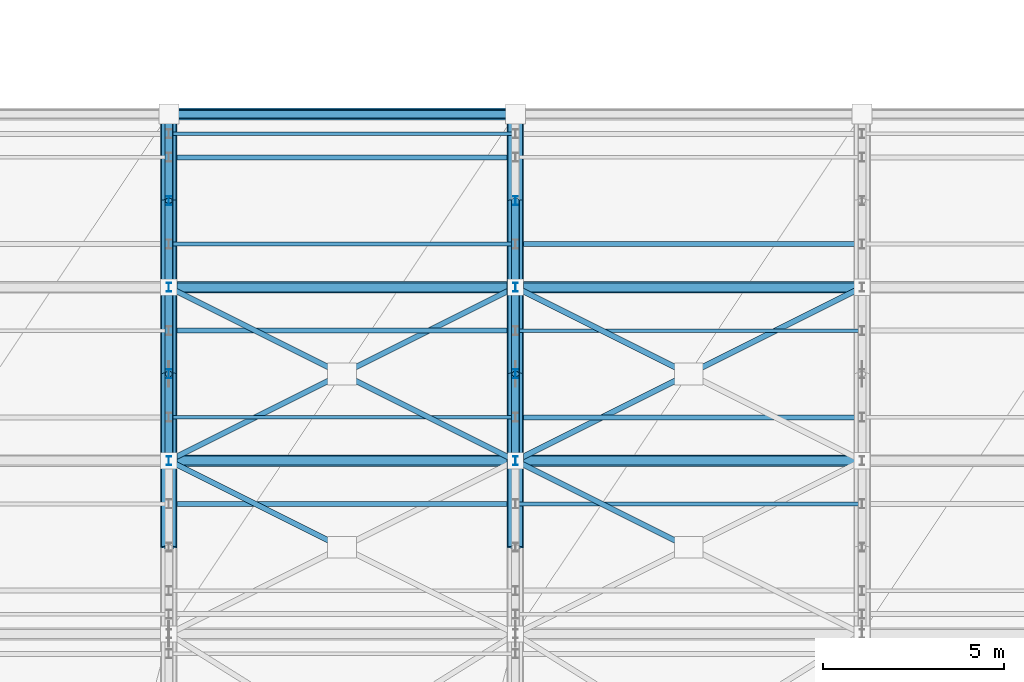
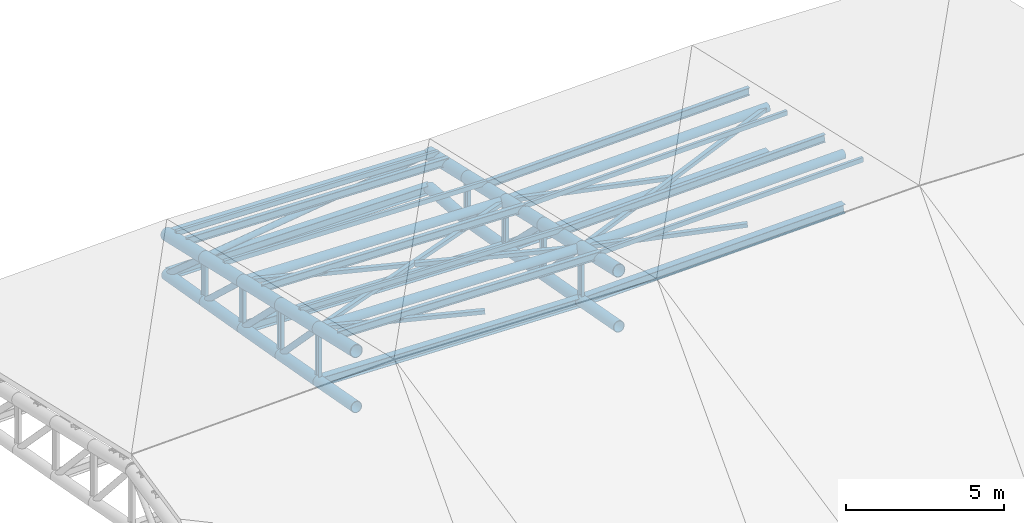
# One storey, part 49 of 109: 43 members, 20 beams.
"""IFC4 building model written with IfcOpenShell, lengths in metres."""

from ifc_helpers import new_model, si_unit, direction, frame, origin, origin_2d, place, context, subcontext, project, spatial, hollow_rectangle, hollow_circle, i_section, extrude, material, material_profile, profile_set, type_object, element, save


model = new_model("IFC4")

# Units and contexts
model_context = context("Model", 3, precision=1e-05, world=origin(), true_north=direction((0.0, 1.0)))
body_context = subcontext(model_context, "Body", "Model", "MODEL_VIEW")
ifc_project = project(units=[si_unit("LENGTHUNIT", "METRE"), si_unit("AREAUNIT", "SQUARE_METRE"), si_unit("VOLUMEUNIT", "CUBIC_METRE"), si_unit("PLANEANGLEUNIT", "RADIAN"), si_unit("MASSUNIT", "GRAM", prefix="KILO")], contexts=[model_context])

# Site, building, storey
site_placement = place(None, origin())
site = spatial("IfcSite", under=ifc_project, at=site_placement, CompositionType="ELEMENT")
building_placement = place(site_placement, origin())
building = spatial("IfcBuilding", under=site, at=building_placement, Name="Suirenkawa Promenade Aquatics Centre", CompositionType="ELEMENT")
storey_placement = place(building_placement, frame((0.0, 0.0, 22.800048828125)))
storey = spatial("IfcBuildingStorey", under=building, at=storey_placement, Name="ROOF", CompositionType="ELEMENT", Elevation=22.800048828125)

# Beams
ifc_material = material(Name="Steel IS 2062 E350 (Grade 350)", Category="steel")
ifc_material_profile_1 = material_profile(ifc_material, hollow_circle(Radius=0.202880859375, WallThickness=0.01806640625, at=origin_2d()), Name="CHS 406x18", Category="steel")
ifc_profile_set_1 = profile_set([ifc_material_profile_1], Name="Steel IS 2062 E350 (Grade 350)")
beam_type_1 = type_object("IfcBeamType", Name="BT-BC-CHS406", PredefinedType="BEAM", material=ifc_profile_set_1)
beam_1_placement = place(storey_placement, frame((165.60009765625, 88.800048828125, -3.89208984375), z_axis=(0.0, 0.983234878621, -0.182343558874), x_axis=(-1.0, 0.0, 0.0)))
element("IfcBeam", 1, at=beam_1_placement, inside=storey, type_object=beam_type_1, Name="ROOF TRUSS V2 bottom chord BC-01 BM-2458", PredefinedType="BEAM", context=body_context, shape_type="SweptSolid", body=[
    extrude(hollow_circle(Radius=0.202880859375, WallThickness=0.01806640625, at=origin_2d()), origin(), (0.0, 0.0, 1.0), 2.44091796875),
])
beam_2_placement = place(storey_placement, frame((165.60009765625, 91.199951171875, -4.337158203125), z_axis=(0.0, 0.984123577973, -0.177484600117), x_axis=(-1.0, 0.0, 0.0)))
element("IfcBeam", 2, at=beam_2_placement, inside=storey, type_object=beam_type_1, Name="ROOF TRUSS V2 bottom chord BC-01 BM-2460", PredefinedType="BEAM", context=body_context, shape_type="SweptSolid", body=[
    extrude(hollow_circle(Radius=0.202880859375, WallThickness=0.01806640625, at=origin_2d()), origin(), (0.0, 0.0, 1.0), 2.43896484375),
])
beam_3_placement = place(storey_placement, frame((165.60009765625, 93.60009765625, -4.77001953125), z_axis=(0.0, 0.984675467278, -0.174396743492), x_axis=(-1.0, 0.0, 0.0)))
element("IfcBeam", 3, at=beam_3_placement, inside=storey, type_object=beam_type_1, Name="ROOF TRUSS V2 bottom chord BC-01 BM-2462", PredefinedType="BEAM", context=body_context, shape_type="SweptSolid", body=[
    extrude(hollow_circle(Radius=0.202880859375, WallThickness=0.01806640625, at=origin_2d()), origin(), (0.0, 0.0, 1.0), 2.437255859375),
])
beam_4_placement = place(storey_placement, frame((165.60009765625, 96.0, -5.195068359375), z_axis=(0.0, 0.985102699783, -0.17196706336), x_axis=(-1.0, 0.0, 0.0)))
element("IfcBeam", 4, at=beam_4_placement, inside=storey, type_object=beam_type_1, Name="ROOF TRUSS V2 bottom chord BC-01 BM-2464", PredefinedType="BEAM", context=body_context, shape_type="SweptSolid", body=[
    extrude(hollow_circle(Radius=0.202880859375, WallThickness=0.01806640625, at=origin_2d()), origin(), (0.0, 0.0, 1.0), 2.436279296875),
])
beam_5_placement = place(storey_placement, frame((165.60009765625, 98.39990234375, -5.614013671875), z_axis=(0.0, 0.985308695014, -0.170782831482), x_axis=(-1.0, 0.0, 0.0)))
element("IfcBeam", 5, at=beam_5_placement, inside=storey, type_object=beam_type_1, Name="ROOF TRUSS V2 bottom chord BC-01 BM-2466", PredefinedType="BEAM", context=body_context, shape_type="SweptSolid", body=[
    extrude(hollow_circle(Radius=0.202880859375, WallThickness=0.01806640625, at=origin_2d()), origin(), (0.0, 0.0, 1.0), 2.43603515625),
])
beam_6_placement = place(storey_placement, frame((175.199951171875, 88.800048828125, -4.14208984375), z_axis=(0.0, 0.983234878621, -0.182343558874), x_axis=(-1.0, 0.0, 0.0)))
element("IfcBeam", 6, at=beam_6_placement, inside=storey, type_object=beam_type_1, Name="ROOF TRUSS V2 bottom chord BC-01 BM-2494", PredefinedType="BEAM", context=body_context, shape_type="SweptSolid", body=[
    extrude(hollow_circle(Radius=0.202880859375, WallThickness=0.01806640625, at=origin_2d()), origin(), (0.0, 0.0, 1.0), 2.44091796875),
])
beam_7_placement = place(storey_placement, frame((175.199951171875, 91.199951171875, -4.587158203125), z_axis=(0.0, 0.984123577973, -0.177484600117), x_axis=(-1.0, 0.0, 0.0)))
element("IfcBeam", 7, at=beam_7_placement, inside=storey, type_object=beam_type_1, Name="ROOF TRUSS V2 bottom chord BC-01 BM-2496", PredefinedType="BEAM", context=body_context, shape_type="SweptSolid", body=[
    extrude(hollow_circle(Radius=0.202880859375, WallThickness=0.01806640625, at=origin_2d()), origin(), (0.0, 0.0, 1.0), 2.43896484375),
])
beam_8_placement = place(storey_placement, frame((175.199951171875, 93.60009765625, -5.02001953125), z_axis=(0.0, 0.984675467278, -0.174396743492), x_axis=(-1.0, 0.0, 0.0)))
element("IfcBeam", 8, at=beam_8_placement, inside=storey, type_object=beam_type_1, Name="ROOF TRUSS V2 bottom chord BC-01 BM-2498", PredefinedType="BEAM", context=body_context, shape_type="SweptSolid", body=[
    extrude(hollow_circle(Radius=0.202880859375, WallThickness=0.01806640625, at=origin_2d()), origin(), (0.0, 0.0, 1.0), 2.437255859375),
])
beam_9_placement = place(storey_placement, frame((175.199951171875, 96.0, -5.445068359375), z_axis=(0.0, 0.985102699783, -0.17196706336), x_axis=(-1.0, 0.0, 0.0)))
element("IfcBeam", 9, at=beam_9_placement, inside=storey, type_object=beam_type_1, Name="ROOF TRUSS V2 bottom chord BC-01 BM-2500", PredefinedType="BEAM", context=body_context, shape_type="SweptSolid", body=[
    extrude(hollow_circle(Radius=0.202880859375, WallThickness=0.01806640625, at=origin_2d()), origin(), (0.0, 0.0, 1.0), 2.436279296875),
])
beam_10_placement = place(storey_placement, frame((175.199951171875, 98.39990234375, -5.864013671875), z_axis=(0.0, 0.997009573993, -0.077278129934), x_axis=(-1.0, 0.0, 0.0)))
element("IfcBeam", 10, at=beam_10_placement, inside=storey, type_object=beam_type_1, Name="ROOF TRUSS V2 bottom chord BC-01 BM-2502", PredefinedType="BEAM", context=body_context, shape_type="SweptSolid", body=[
    extrude(hollow_circle(Radius=0.202880859375, WallThickness=0.01806640625, at=origin_2d()), origin(), (0.0, 0.0, 1.0), 2.4072265625),
])
ifc_material_profile_2 = material_profile(ifc_material, hollow_circle(Radius=0.22900390625, WallThickness=0.02001953125, at=origin_2d()), Name="CHS 458x20", Category="steel")
ifc_profile_set_2 = profile_set([ifc_material_profile_2], Name="Steel IS 2062 E350 (Grade 350)")
beam_type_2 = type_object("IfcBeamType", Name="BT-TC-CHS458", PredefinedType="BEAM", material=ifc_profile_set_2)
beam_11_placement = place(storey_placement, frame((165.60009765625, 88.800048828125, -1.72998046875), z_axis=(0.0, 0.974726021078, -0.223403634333), x_axis=(-1.0, 0.0, 0.0)))
element("IfcBeam", 11, at=beam_11_placement, inside=storey, type_object=beam_type_2, Name="ROOF TRUSS V2 top chord TC-01 BM-2457", PredefinedType="BEAM", context=body_context, shape_type="SweptSolid", body=[
    extrude(hollow_circle(Radius=0.22900390625, WallThickness=0.02001953125, at=origin_2d()), origin(), (0.0, 0.0, 1.0), 2.462158203125),
])
beam_12_placement = place(storey_placement, frame((165.60009765625, 91.199951171875, -2.280029296875), z_axis=(0.0, 0.97473096927, -0.223382043919), x_axis=(-1.0, 0.0, 0.0)))
element("IfcBeam", 12, at=beam_12_placement, inside=storey, type_object=beam_type_2, Name="ROOF TRUSS V2 top chord TC-01 BM-2459", PredefinedType="BEAM", context=body_context, shape_type="SweptSolid", body=[
    extrude(hollow_circle(Radius=0.22900390625, WallThickness=0.02001953125, at=origin_2d()), origin(), (0.0, 0.0, 1.0), 2.46240234375),
])
for number, where, z_axis, x_axis, name in (
    (13, (165.60009765625, 93.60009765625, -2.830078125), (0.0, 0.974726021078, -0.223403634333), (-1.0, 0.0, 0.0), "ROOF TRUSS V2 top chord TC-01 BM-2461"),
    (14, (165.60009765625, 96.0, -3.380126953125), (0.0, 0.974747609449, -0.223309421819), (-1.0, 0.0, 0.0), "ROOF TRUSS V2 top chord TC-01 BM-2463"),
):
    element("IfcBeam", number, at=place(storey_placement, frame(where, z_axis=z_axis, x_axis=x_axis)), inside=storey, type_object=beam_type_2, Name=name, PredefinedType="BEAM", context=body_context, shape_type="SweptSolid", body=[
        extrude(hollow_circle(Radius=0.22900390625, WallThickness=0.02001953125, at=origin_2d()), origin(), (0.0, 0.0, 1.0), 2.462158203125),
    ])
beam_13_placement = place(storey_placement, frame((165.60009765625, 98.39990234375, -3.929931640625), z_axis=(0.0, 0.97473096927, -0.223382043919), x_axis=(-1.0, 0.0, 0.0)))
element("IfcBeam", 15, at=beam_13_placement, inside=storey, type_object=beam_type_2, Name="ROOF TRUSS V2 top chord TC-01 BM-2465", PredefinedType="BEAM", context=body_context, shape_type="SweptSolid", body=[
    extrude(hollow_circle(Radius=0.22900390625, WallThickness=0.02001953125, at=origin_2d()), origin(), (0.0, 0.0, 1.0), 2.46240234375),
])
beam_14_placement = place(storey_placement, frame((175.199951171875, 88.800048828125, -1.97998046875), z_axis=(0.0, 0.974726021078, -0.223403634333), x_axis=(-1.0, 0.0, 0.0)))
element("IfcBeam", 16, at=beam_14_placement, inside=storey, type_object=beam_type_2, Name="ROOF TRUSS V2 top chord TC-01 BM-2493", PredefinedType="BEAM", context=body_context, shape_type="SweptSolid", body=[
    extrude(hollow_circle(Radius=0.22900390625, WallThickness=0.02001953125, at=origin_2d()), origin(), (0.0, 0.0, 1.0), 2.462158203125),
])
beam_15_placement = place(storey_placement, frame((175.199951171875, 91.199951171875, -2.530029296875), z_axis=(0.0, 0.97473096927, -0.223382043919), x_axis=(-1.0, 0.0, 0.0)))
element("IfcBeam", 17, at=beam_15_placement, inside=storey, type_object=beam_type_2, Name="ROOF TRUSS V2 top chord TC-01 BM-2495", PredefinedType="BEAM", context=body_context, shape_type="SweptSolid", body=[
    extrude(hollow_circle(Radius=0.22900390625, WallThickness=0.02001953125, at=origin_2d()), origin(), (0.0, 0.0, 1.0), 2.46240234375),
])
for number, where, z_axis, x_axis, name in (
    (18, (175.199951171875, 93.60009765625, -3.080078125), (0.0, 0.974726021078, -0.223403634333), (-1.0, 0.0, 0.0), "ROOF TRUSS V2 top chord TC-01 BM-2497"),
    (19, (175.199951171875, 96.0, -3.630126953125), (0.0, 0.974747609449, -0.223309421819), (-1.0, 0.0, 0.0), "ROOF TRUSS V2 top chord TC-01 BM-2499"),
):
    element("IfcBeam", number, at=place(storey_placement, frame(where, z_axis=z_axis, x_axis=x_axis)), inside=storey, type_object=beam_type_2, Name=name, PredefinedType="BEAM", context=body_context, shape_type="SweptSolid", body=[
        extrude(hollow_circle(Radius=0.22900390625, WallThickness=0.02001953125, at=origin_2d()), origin(), (0.0, 0.0, 1.0), 2.462158203125),
    ])
beam_16_placement = place(storey_placement, frame((175.199951171875, 98.39990234375, -4.179931640625), z_axis=(0.0, 0.97473096927, -0.223382043919), x_axis=(-1.0, 0.0, 0.0)))
element("IfcBeam", 20, at=beam_16_placement, inside=storey, type_object=beam_type_2, Name="ROOF TRUSS V2 top chord TC-01 BM-2501", PredefinedType="BEAM", context=body_context, shape_type="SweptSolid", body=[
    extrude(hollow_circle(Radius=0.22900390625, WallThickness=0.02001953125, at=origin_2d()), origin(), (0.0, 0.0, 1.0), 2.46240234375),
])

# Members
ifc_material_profile_3 = material_profile(ifc_material, hollow_rectangle(XDim=0.14990234375, YDim=0.14990234375, WallThickness=0.008056640625, at=origin_2d()), Name="SHS 150x150x8", Category="steel")
ifc_profile_set_3 = profile_set([ifc_material_profile_3], Name="Steel IS 2062 E350 (Grade 350)")
member_type_1 = type_object("IfcMemberType", Name="MT-BRACE-SHS150", PredefinedType="BRACE", material=ifc_profile_set_3)
member_1_placement = place(storey_placement, frame((170.323974609375, 88.837890625, -1.862060546875), z_axis=(-0.891630233841, 0.445838157652, -0.078891465209), x_axis=(-0.44723208562, -0.894417945701, 0.0)))
element("IfcMember", 21, at=member_1_placement, inside=storey, type_object=member_type_1, Name="ROOF TRUSS V2 split plan brace B BF-02 MB-1251", PredefinedType="BRACE", context=body_context, shape_type="SweptSolid", body=[
    extrude(hollow_rectangle(XDim=0.14990234375, YDim=0.14990234375, WallThickness=0.008056640625, at=origin_2d()), origin(), (0.0, 0.0, 1.0), 5.298095703125),
])
member_2_placement = place(storey_placement, frame((165.60009765625, 91.199951171875, -2.280029296875), z_axis=(0.887429333541, 0.44372595119, -0.124805681811), x_axis=(-0.447222694153, 0.894422641615, 0.0)))
element("IfcMember", 22, at=member_2_placement, inside=storey, type_object=member_type_1, Name="ROOF TRUSS V2 continuous plan brace BF-02 MB-1252", PredefinedType="BRACE", context=body_context, shape_type="SweptSolid", body=[
    extrude(hollow_rectangle(XDim=0.14990234375, YDim=0.14990234375, WallThickness=0.008056640625, at=origin_2d()), origin(), (0.0, 0.0, 1.0), 10.817626953125),
])
for number, where, z_axis, x_axis, name in (
    (23, (175.199951171875, 91.199951171875, -2.530029296875), (-0.891630233841, 0.445838157652, -0.078891465209), (-0.44723208562, -0.894417945701, 0.0), "ROOF TRUSS V2 split plan brace A BF-02 MB-1253"),
    (24, (170.323974609375, 93.637939453125, -2.962158203125), (-0.891630233841, 0.445838157652, -0.078891465209), (-0.44723208562, -0.894417945701, 0.0), "ROOF TRUSS V2 split plan brace B BF-02 MB-1254"),
):
    element("IfcMember", number, at=place(storey_placement, frame(where, z_axis=z_axis, x_axis=x_axis)), inside=storey, type_object=member_type_1, Name=name, PredefinedType="BRACE", context=body_context, shape_type="SweptSolid", body=[
        extrude(hollow_rectangle(XDim=0.14990234375, YDim=0.14990234375, WallThickness=0.008056640625, at=origin_2d()), origin(), (0.0, 0.0, 1.0), 5.298095703125),
    ])
member_3_placement = place(storey_placement, frame((179.925048828125, 88.837890625, -1.865966796875), z_axis=(-0.88747950639, 0.443648043005, -0.124725858085), x_axis=(-0.447139648397, -0.894464160731, 0.0)))
element("IfcMember", 25, at=member_3_placement, inside=storey, type_object=member_type_1, Name="ROOF TRUSS V2 split plan brace B BF-02 MB-1272", PredefinedType="BRACE", context=body_context, shape_type="SweptSolid", body=[
    extrude(hollow_rectangle(XDim=0.14990234375, YDim=0.14990234375, WallThickness=0.008056640625, at=origin_2d()), origin(), (0.0, 0.0, 1.0), 5.32421875),
])
member_4_placement = place(storey_placement, frame((175.199951171875, 91.199951171875, -2.530029296875), z_axis=(0.89163494344, 0.44581747172, -0.078955110957), x_axis=(-0.4472135955, 0.894427191, 0.0)))
element("IfcMember", 26, at=member_4_placement, inside=storey, type_object=member_type_1, Name="ROOF TRUSS V2 continuous plan brace BF-02 MB-1273", PredefinedType="BRACE", context=body_context, shape_type="SweptSolid", body=[
    extrude(hollow_rectangle(XDim=0.14990234375, YDim=0.14990234375, WallThickness=0.008056640625, at=origin_2d()), origin(), (0.0, 0.0, 1.0), 10.766845703125),
])
member_5_placement = place(storey_placement, frame((179.925048828125, 93.637939453125, -2.966064453125), z_axis=(-0.88747950639, 0.443648043005, -0.124725858085), x_axis=(-0.447139648397, -0.894464160731, 0.0)))
element("IfcMember", 27, at=member_5_placement, inside=storey, type_object=member_type_1, Name="ROOF TRUSS V2 split plan brace B BF-02 MB-1275", PredefinedType="BRACE", context=body_context, shape_type="SweptSolid", body=[
    extrude(hollow_rectangle(XDim=0.14990234375, YDim=0.14990234375, WallThickness=0.008056640625, at=origin_2d()), origin(), (0.0, 0.0, 1.0), 5.32421875),
])
ifc_material_profile_4 = material_profile(ifc_material, hollow_circle(Radius=0.162109375, WallThickness=0.013916015625, at=origin_2d()), Name="CHS 324x14", Category="steel")
ifc_profile_set_4 = profile_set([ifc_material_profile_4], Name="Steel IS 2062 E350 (Grade 350)")
member_type_2 = type_object("IfcMemberType", Name="MT-CHORD-CHS324", PredefinedType="CHORD", material=ifc_profile_set_4)
for number, where, z_axis, x_axis, name in (
    (28, (165.60009765625, 100.800048828125, -4.47998046875), (0.999661077831, 0.0, -0.026033237804), (0.0, 1.0, 0.0), "ROOF TRUSS V2 eave top chord CH-01 MB-1161"),
    (29, (165.60009765625, 91.199951171875, -2.280029296875), (0.999661077831, 0.0, -0.026033237804), (0.0, 1.0, 0.0), "ROOF TRUSS V2 tie chord CH-01 MB-1220"),
):
    element("IfcMember", number, at=place(storey_placement, frame(where, z_axis=z_axis, x_axis=x_axis)), inside=storey, type_object=member_type_2, Name=name, PredefinedType="CHORD", context=body_context, shape_type="SweptSolid", body=[
        extrude(hollow_circle(Radius=0.162109375, WallThickness=0.013916015625, at=origin_2d()), origin(), (0.0, 0.0, 1.0), 9.60302734375),
    ])
member_6_placement = place(storey_placement, frame((175.199951171875, 91.199951171875, -2.530029296875), z_axis=(0.99966109506, 0.0, 0.0260325762), x_axis=(0.0, 1.0, 0.0)))
element("IfcMember", 30, at=member_6_placement, inside=storey, type_object=member_type_2, Name="ROOF TRUSS V2 tie chord CH-01 MB-1222", PredefinedType="CHORD", context=body_context, shape_type="SweptSolid", body=[
    extrude(hollow_circle(Radius=0.162109375, WallThickness=0.013916015625, at=origin_2d()), origin(), (0.0, 0.0, 1.0), 9.603271484375),
])
member_7_placement = place(storey_placement, frame((165.60009765625, 96.0, -3.380126953125), z_axis=(0.999661077831, 0.0, -0.026033237804), x_axis=(0.0, 1.0, 0.0)))
element("IfcMember", 31, at=member_7_placement, inside=storey, type_object=member_type_2, Name="ROOF TRUSS V2 tie chord CH-01 MB-1228", PredefinedType="CHORD", context=body_context, shape_type="SweptSolid", body=[
    extrude(hollow_circle(Radius=0.162109375, WallThickness=0.013916015625, at=origin_2d()), origin(), (0.0, 0.0, 1.0), 9.60302734375),
])
member_8_placement = place(storey_placement, frame((175.199951171875, 96.0, -3.630126953125), z_axis=(0.99966109506, 0.0, 0.0260325762), x_axis=(0.0, 1.0, 0.0)))
element("IfcMember", 32, at=member_8_placement, inside=storey, type_object=member_type_2, Name="ROOF TRUSS V2 tie chord CH-01 MB-1230", PredefinedType="CHORD", context=body_context, shape_type="SweptSolid", body=[
    extrude(hollow_circle(Radius=0.162109375, WallThickness=0.013916015625, at=origin_2d()), origin(), (0.0, 0.0, 1.0), 9.603271484375),
])
ifc_material_profile_5 = material_profile(ifc_material, i_section(OverallWidth=0.25, OverallDepth=0.35009765625, WebThickness=0.010009765625, FlangeThickness=0.011962890625, at=origin_2d()), Name="ISHB 350", Category="steel")
ifc_profile_set_5 = profile_set([ifc_material_profile_5], Name="Steel IS 2062 E350 (Grade 350)")
member_type_3 = type_object("IfcMemberType", Name="MT-CHORD-ISHB350", PredefinedType="CHORD", material=ifc_profile_set_5)
member_9_placement = place(storey_placement, frame((165.60009765625, 100.800048828125, -6.030029296875), z_axis=(0.999997825561, 0.0, -0.002085395125), x_axis=(0.0, 1.0, 0.0)))
element("IfcMember", 33, at=member_9_placement, inside=storey, type_object=member_type_3, Name="ROOF TRUSS V2 eave bottom chord CH-04 MB-1162", PredefinedType="CHORD", context=body_context, shape_type="SweptSolid", body=[
    extrude(i_section(OverallWidth=0.25, OverallDepth=0.35009765625, WebThickness=0.010009765625, FlangeThickness=0.011962890625, at=origin_2d()), origin(), (0.0, 0.0, 1.0), 9.599853515625),
])
member_10_placement = place(storey_placement, frame((165.60009765625, 91.199951171875, -4.337158203125), z_axis=(0.999661077831, 0.0, -0.026033237804), x_axis=(0.0, 1.0, 0.0)))
element("IfcMember", 34, at=member_10_placement, inside=storey, type_object=member_type_3, Name="ROOF TRUSS V2 bottom tie CH-04 MB-1221", PredefinedType="CHORD", context=body_context, shape_type="SweptSolid", body=[
    extrude(i_section(OverallWidth=0.25, OverallDepth=0.35009765625, WebThickness=0.010009765625, FlangeThickness=0.011962890625, at=origin_2d()), origin(), (0.0, 0.0, 1.0), 9.60302734375),
])
member_11_placement = place(storey_placement, frame((175.199951171875, 91.199951171875, -4.587158203125), z_axis=(0.99966109506, 0.0, 0.0260325762), x_axis=(0.0, 1.0, 0.0)))
element("IfcMember", 35, at=member_11_placement, inside=storey, type_object=member_type_3, Name="ROOF TRUSS V2 bottom tie CH-04 MB-1223", PredefinedType="CHORD", context=body_context, shape_type="SweptSolid", body=[
    extrude(i_section(OverallWidth=0.25, OverallDepth=0.35009765625, WebThickness=0.010009765625, FlangeThickness=0.011962890625, at=origin_2d()), origin(), (0.0, 0.0, 1.0), 9.603271484375),
])
member_12_placement = place(storey_placement, frame((165.60009765625, 96.0, -5.195068359375), z_axis=(0.999661077831, 0.0, -0.026033237804), x_axis=(0.0, 1.0, 0.0)))
element("IfcMember", 36, at=member_12_placement, inside=storey, type_object=member_type_3, Name="ROOF TRUSS V2 bottom tie CH-04 MB-1229", PredefinedType="CHORD", context=body_context, shape_type="SweptSolid", body=[
    extrude(i_section(OverallWidth=0.25, OverallDepth=0.35009765625, WebThickness=0.010009765625, FlangeThickness=0.011962890625, at=origin_2d()), origin(), (0.0, 0.0, 1.0), 9.60302734375),
])
member_13_placement = place(storey_placement, frame((175.199951171875, 96.0, -5.445068359375), z_axis=(0.99966109506, 0.0, 0.0260325762), x_axis=(0.0, 1.0, 0.0)))
element("IfcMember", 37, at=member_13_placement, inside=storey, type_object=member_type_3, Name="ROOF TRUSS V2 bottom tie CH-04 MB-1231", PredefinedType="CHORD", context=body_context, shape_type="SweptSolid", body=[
    extrude(i_section(OverallWidth=0.25, OverallDepth=0.35009765625, WebThickness=0.010009765625, FlangeThickness=0.011962890625, at=origin_2d()), origin(), (0.0, 0.0, 1.0), 9.603271484375),
])
ifc_material_profile_6 = material_profile(ifc_material, i_section(OverallWidth=0.139892578125, OverallDepth=0.300048828125, WebThickness=0.008056640625, FlangeThickness=0.012939453125, at=origin_2d()), Name="ISMB 300", Category="steel")
ifc_profile_set_6 = profile_set([ifc_material_profile_6], Name="Steel IS 2062 E350 (Grade 350)")
member_type_4 = type_object("IfcMemberType", Name="MT-PURLIN-ISMB300", PredefinedType="PURLIN", material=ifc_profile_set_6)
for number, where, z_axis, x_axis, name in (
    (38, (165.60009765625, 90.0, -1.821044921875), (0.999661077831, 0.0, -0.026033237804), (0.0, 1.0, 0.0), "ROOF TRUSS Roof purlin PU-05 MB-2505"),
    (39, (165.60009765625, 94.800048828125, -2.921142578125), (0.999661077831, 0.0, -0.026033237804), (0.0, 1.0, 0.0), "ROOF TRUSS Roof purlin PU-05 MB-2509"),
    (40, (165.60009765625, 99.60009765625, -4.02099609375), (0.999661077831, 0.0, -0.026033237804), (0.0, 1.0, 0.0), "ROOF TRUSS Roof purlin PU-05 MB-2513"),
):
    element("IfcMember", number, at=place(storey_placement, frame(where, z_axis=z_axis, x_axis=x_axis)), inside=storey, type_object=member_type_4, Name=name, PredefinedType="PURLIN", context=body_context, shape_type="SweptSolid", body=[
        extrude(i_section(OverallWidth=0.139892578125, OverallDepth=0.300048828125, WebThickness=0.008056640625, FlangeThickness=0.012939453125, at=origin_2d()), origin(), (0.0, 0.0, 1.0), 9.60302734375),
    ])
for number, where, z_axis, x_axis, name in (
    (41, (175.199951171875, 92.39990234375, -2.62109375), (0.99966109506, 0.0, 0.0260325762), (0.0, 1.0, 0.0), "ROOF TRUSS Roof purlin PU-05 MB-2551"),
    (42, (175.199951171875, 97.199951171875, -3.720947265625), (0.99966109506, 0.0, 0.0260325762), (0.0, 1.0, 0.0), "ROOF TRUSS Roof purlin PU-05 MB-2555"),
):
    element("IfcMember", number, at=place(storey_placement, frame(where, z_axis=z_axis, x_axis=x_axis)), inside=storey, type_object=member_type_4, Name=name, PredefinedType="PURLIN", context=body_context, shape_type="SweptSolid", body=[
        extrude(i_section(OverallWidth=0.139892578125, OverallDepth=0.300048828125, WebThickness=0.008056640625, FlangeThickness=0.012939453125, at=origin_2d()), origin(), (0.0, 0.0, 1.0), 9.603271484375),
    ])
ifc_material_profile_7 = material_profile(ifc_material, hollow_rectangle(XDim=0.10009765625, YDim=0.179931640625, WallThickness=0.008056640625, at=origin_2d()), Name="RHS 180x100x8", Category="steel")
ifc_profile_set_7 = profile_set([ifc_material_profile_7], Name="Steel IS 2062 E350 (Grade 350)")
member_type_5 = type_object("IfcMemberType", Name="MT-PURLIN-RHS180", PredefinedType="PURLIN", material=ifc_profile_set_7)
for number, where, z_axis, x_axis, name in (
    (43, (165.60009765625, 92.39990234375, -2.30615234375), (0.999661077831, 0.0, -0.026033237804), (0.0, 1.0, 0.0), "ROOF TRUSS Roof purlin PU-01 MB-2507"),
    (44, (165.60009765625, 97.199951171875, -3.406005859375), (0.999661077831, 0.0, -0.026033237804), (0.0, 1.0, 0.0), "ROOF TRUSS Roof purlin PU-01 MB-2511"),
    (45, (165.60009765625, 100.25, -4.10498046875), (0.999661077831, 0.0, -0.026033237804), (0.0, 1.0, 0.0), "ROOF TRUSS Roof purlin PU-01 MB-2515"),
):
    element("IfcMember", number, at=place(storey_placement, frame(where, z_axis=z_axis, x_axis=x_axis)), inside=storey, type_object=member_type_5, Name=name, PredefinedType="PURLIN", context=body_context, shape_type="SweptSolid", body=[
        extrude(hollow_rectangle(XDim=0.10009765625, YDim=0.179931640625, WallThickness=0.008056640625, at=origin_2d()), origin(), (0.0, 0.0, 1.0), 9.60302734375),
    ])
for number, where, z_axis, x_axis, name in (
    (46, (175.199951171875, 90.0, -2.006103515625), (0.99966109506, 0.0, 0.0260325762), (0.0, 1.0, 0.0), "ROOF TRUSS Roof purlin PU-01 MB-2549"),
    (47, (175.199951171875, 94.800048828125, -3.10595703125), (0.99966109506, 0.0, 0.0260325762), (0.0, 1.0, 0.0), "ROOF TRUSS Roof purlin PU-01 MB-2553"),
):
    element("IfcMember", number, at=place(storey_placement, frame(where, z_axis=z_axis, x_axis=x_axis)), inside=storey, type_object=member_type_5, Name=name, PredefinedType="PURLIN", context=body_context, shape_type="SweptSolid", body=[
        extrude(hollow_rectangle(XDim=0.10009765625, YDim=0.179931640625, WallThickness=0.008056640625, at=origin_2d()), origin(), (0.0, 0.0, 1.0), 9.603271484375),
    ])
ifc_material_profile_8 = material_profile(ifc_material, i_section(OverallWidth=0.125, OverallDepth=0.25, WebThickness=0.007080078125, FlangeThickness=0.012939453125, at=origin_2d()), Name="ISMB 250", Category="steel")
ifc_profile_set_8 = profile_set([ifc_material_profile_8], Name="Steel IS 2062 E350 (Grade 350)")
member_type_6 = type_object("IfcMemberType", Name="MT-WEB-CHS168", PredefinedType="BRACE", material=ifc_profile_set_8)
member_14_placement = place(storey_placement, frame((165.60009765625, 91.199951171875, -4.337158203125), z_axis=(0.0, 0.0, 1.0), x_axis=(1.0, 0.0, 0.0)))
element("IfcMember", 48, at=member_14_placement, inside=storey, type_object=member_type_6, Name="ROOF TRUSS V2 web post TD-03 MB-1037", PredefinedType="BRACE", context=body_context, shape_type="SweptSolid", body=[
    extrude(i_section(OverallWidth=0.125, OverallDepth=0.25, WebThickness=0.007080078125, FlangeThickness=0.012939453125, at=origin_2d()), origin(), (0.0, 0.0, 1.0), 2.05712890625),
])
member_15_placement = place(storey_placement, frame((165.60009765625, 93.60009765625, -4.77001953125), z_axis=(0.0, 0.0, 1.0), x_axis=(1.0, 0.0, 0.0)))
element("IfcMember", 49, at=member_15_placement, inside=storey, type_object=member_type_6, Name="ROOF TRUSS V2 web post TD-03 MB-1038", PredefinedType="BRACE", context=body_context, shape_type="SweptSolid", body=[
    extrude(i_section(OverallWidth=0.125, OverallDepth=0.25, WebThickness=0.007080078125, FlangeThickness=0.012939453125, at=origin_2d()), origin(), (0.0, 0.0, 1.0), 1.93994140625),
])
member_16_placement = place(storey_placement, frame((165.60009765625, 96.0, -5.195068359375), z_axis=(0.0, 0.0, 1.0), x_axis=(1.0, 0.0, 0.0)))
element("IfcMember", 50, at=member_16_placement, inside=storey, type_object=member_type_6, Name="ROOF TRUSS V2 web post TD-03 MB-1039", PredefinedType="BRACE", context=body_context, shape_type="SweptSolid", body=[
    extrude(i_section(OverallWidth=0.125, OverallDepth=0.25, WebThickness=0.007080078125, FlangeThickness=0.012939453125, at=origin_2d()), origin(), (0.0, 0.0, 1.0), 1.81494140625),
])
member_17_placement = place(storey_placement, frame((165.60009765625, 98.39990234375, -5.614013671875), z_axis=(0.0, 0.0, 1.0), x_axis=(1.0, 0.0, 0.0)))
element("IfcMember", 51, at=member_17_placement, inside=storey, type_object=member_type_6, Name="ROOF TRUSS V2 web post TD-03 MB-1040", PredefinedType="BRACE", context=body_context, shape_type="SweptSolid", body=[
    extrude(i_section(OverallWidth=0.125, OverallDepth=0.25, WebThickness=0.007080078125, FlangeThickness=0.012939453125, at=origin_2d()), origin(), (0.0, 0.0, 1.0), 1.68408203125),
])
member_18_placement = place(storey_placement, frame((175.199951171875, 91.199951171875, -4.587158203125), z_axis=(0.0, 0.0, 1.0), x_axis=(1.0, 0.0, 0.0)))
element("IfcMember", 52, at=member_18_placement, inside=storey, type_object=member_type_6, Name="ROOF TRUSS V2 web post TD-03 MB-1072", PredefinedType="BRACE", context=body_context, shape_type="SweptSolid", body=[
    extrude(i_section(OverallWidth=0.125, OverallDepth=0.25, WebThickness=0.007080078125, FlangeThickness=0.012939453125, at=origin_2d()), origin(), (0.0, 0.0, 1.0), 2.05712890625),
])
member_19_placement = place(storey_placement, frame((175.199951171875, 93.60009765625, -5.02001953125), z_axis=(0.0, 0.0, 1.0), x_axis=(1.0, 0.0, 0.0)))
element("IfcMember", 53, at=member_19_placement, inside=storey, type_object=member_type_6, Name="ROOF TRUSS V2 web post TD-03 MB-1073", PredefinedType="BRACE", context=body_context, shape_type="SweptSolid", body=[
    extrude(i_section(OverallWidth=0.125, OverallDepth=0.25, WebThickness=0.007080078125, FlangeThickness=0.012939453125, at=origin_2d()), origin(), (0.0, 0.0, 1.0), 1.93994140625),
])
member_20_placement = place(storey_placement, frame((175.199951171875, 96.0, -5.445068359375), z_axis=(0.0, 0.0, 1.0), x_axis=(1.0, 0.0, 0.0)))
element("IfcMember", 54, at=member_20_placement, inside=storey, type_object=member_type_6, Name="ROOF TRUSS V2 web post TD-03 MB-1074", PredefinedType="BRACE", context=body_context, shape_type="SweptSolid", body=[
    extrude(i_section(OverallWidth=0.125, OverallDepth=0.25, WebThickness=0.007080078125, FlangeThickness=0.012939453125, at=origin_2d()), origin(), (0.0, 0.0, 1.0), 1.81494140625),
])
member_21_placement = place(storey_placement, frame((175.199951171875, 98.39990234375, -5.864013671875), z_axis=(0.0, 0.0, 1.0), x_axis=(1.0, 0.0, 0.0)))
element("IfcMember", 55, at=member_21_placement, inside=storey, type_object=member_type_6, Name="ROOF TRUSS V2 web post TD-03 MB-1075", PredefinedType="BRACE", context=body_context, shape_type="SweptSolid", body=[
    extrude(i_section(OverallWidth=0.125, OverallDepth=0.25, WebThickness=0.007080078125, FlangeThickness=0.012939453125, at=origin_2d()), origin(), (0.0, 0.0, 1.0), 1.68408203125),
])
ifc_material_profile_9 = material_profile(ifc_material, hollow_circle(Radius=0.110107421875, WallThickness=0.010009765625, at=origin_2d()), Name="CHS 220x10", Category="steel")
ifc_profile_set_9 = profile_set([ifc_material_profile_9], Name="Steel IS 2062 E350 (Grade 350)")
member_type_7 = type_object("IfcMemberType", Name="MT-WEB-CHS220", PredefinedType="BRACE", material=ifc_profile_set_9)
member_22_placement = place(storey_placement, frame((165.60009765625, 91.199951171875, -2.280029296875), z_axis=(0.0, 0.693998384814, -0.719976556476), x_axis=(-1.0, 0.0, 0.0)))
element("IfcMember", 56, at=member_22_placement, inside=storey, type_object=member_type_7, Name="ROOF TRUSS V2 web diagonal TD-01 MB-1020", PredefinedType="BRACE", context=body_context, shape_type="SweptSolid", body=[
    extrude(hollow_circle(Radius=0.110107421875, WallThickness=0.010009765625, at=origin_2d()), origin(), (0.0, 0.0, 1.0), 3.45849609375),
])
member_23_placement = place(storey_placement, frame((165.60009765625, 93.60009765625, -2.830078125), z_axis=(0.0, 0.7122685957, -0.701907007787), x_axis=(-1.0, 0.0, 0.0)))
element("IfcMember", 57, at=member_23_placement, inside=storey, type_object=member_type_7, Name="ROOF TRUSS V2 web diagonal TD-01 MB-1021", PredefinedType="BRACE", context=body_context, shape_type="SweptSolid", body=[
    extrude(hollow_circle(Radius=0.110107421875, WallThickness=0.010009765625, at=origin_2d()), origin(), (0.0, 0.0, 1.0), 3.369384765625),
])
member_24_placement = place(storey_placement, frame((165.60009765625, 96.0, -3.380126953125), z_axis=(0.0, 0.731970804161, -0.681335997769), x_axis=(-1.0, 0.0, 0.0)))
element("IfcMember", 58, at=member_24_placement, inside=storey, type_object=member_type_7, Name="ROOF TRUSS V2 web diagonal TD-01 MB-1022", PredefinedType="BRACE", context=body_context, shape_type="SweptSolid", body=[
    extrude(hollow_circle(Radius=0.110107421875, WallThickness=0.010009765625, at=origin_2d()), origin(), (0.0, 0.0, 1.0), 3.278564453125),
])
member_25_placement = place(storey_placement, frame((165.60009765625, 98.39990234375, -3.929931640625), z_axis=(0.0, 0.752581436839, -0.65849918825), x_axis=(-1.0, 0.0, 0.0)))
element("IfcMember", 59, at=member_25_placement, inside=storey, type_object=member_type_7, Name="ROOF TRUSS V2 web diagonal TD-01 MB-1023", PredefinedType="BRACE", context=body_context, shape_type="SweptSolid", body=[
    extrude(hollow_circle(Radius=0.110107421875, WallThickness=0.010009765625, at=origin_2d()), origin(), (0.0, 0.0, 1.0), 3.189208984375),
])
member_26_placement = place(storey_placement, frame((175.199951171875, 91.199951171875, -2.530029296875), z_axis=(0.0, 0.693998384814, -0.719976556476), x_axis=(-1.0, 0.0, 0.0)))
element("IfcMember", 60, at=member_26_placement, inside=storey, type_object=member_type_7, Name="ROOF TRUSS V2 web diagonal TD-01 MB-1055", PredefinedType="BRACE", context=body_context, shape_type="SweptSolid", body=[
    extrude(hollow_circle(Radius=0.110107421875, WallThickness=0.010009765625, at=origin_2d()), origin(), (0.0, 0.0, 1.0), 3.45849609375),
])
member_27_placement = place(storey_placement, frame((175.199951171875, 93.60009765625, -3.080078125), z_axis=(0.0, 0.7122685957, -0.701907007787), x_axis=(-1.0, 0.0, 0.0)))
element("IfcMember", 61, at=member_27_placement, inside=storey, type_object=member_type_7, Name="ROOF TRUSS V2 web diagonal TD-01 MB-1056", PredefinedType="BRACE", context=body_context, shape_type="SweptSolid", body=[
    extrude(hollow_circle(Radius=0.110107421875, WallThickness=0.010009765625, at=origin_2d()), origin(), (0.0, 0.0, 1.0), 3.369384765625),
])
member_28_placement = place(storey_placement, frame((175.199951171875, 96.0, -3.630126953125), z_axis=(0.0, 0.731970804161, -0.681335997769), x_axis=(-1.0, 0.0, 0.0)))
element("IfcMember", 62, at=member_28_placement, inside=storey, type_object=member_type_7, Name="ROOF TRUSS V2 web diagonal TD-01 MB-1057", PredefinedType="BRACE", context=body_context, shape_type="SweptSolid", body=[
    extrude(hollow_circle(Radius=0.110107421875, WallThickness=0.010009765625, at=origin_2d()), origin(), (0.0, 0.0, 1.0), 3.278564453125),
])
member_29_placement = place(storey_placement, frame((165.60009765625, 100.800048828125, -6.030029296875), z_axis=(0.990954425391, 0.0, 0.134198833072), x_axis=(0.0, 1.0, 0.0)))
element("IfcMember", 63, at=member_29_placement, inside=storey, type_object=member_type_7, Name="ROOF TRUSS V2 eave web diagonal TD-01 MB-1163", PredefinedType="BRACE", context=body_context, shape_type="SweptSolid", body=[
    extrude(hollow_circle(Radius=0.110107421875, WallThickness=0.010009765625, at=origin_2d()), origin(), (0.0, 0.0, 1.0), 9.6875),
])

save(model, "model.ifc")
